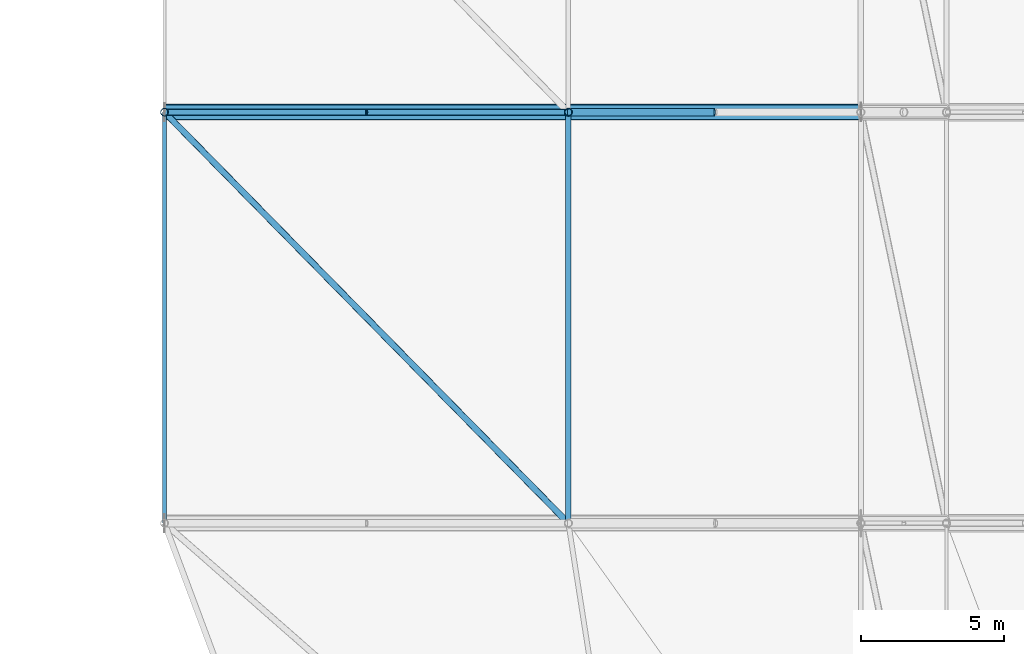
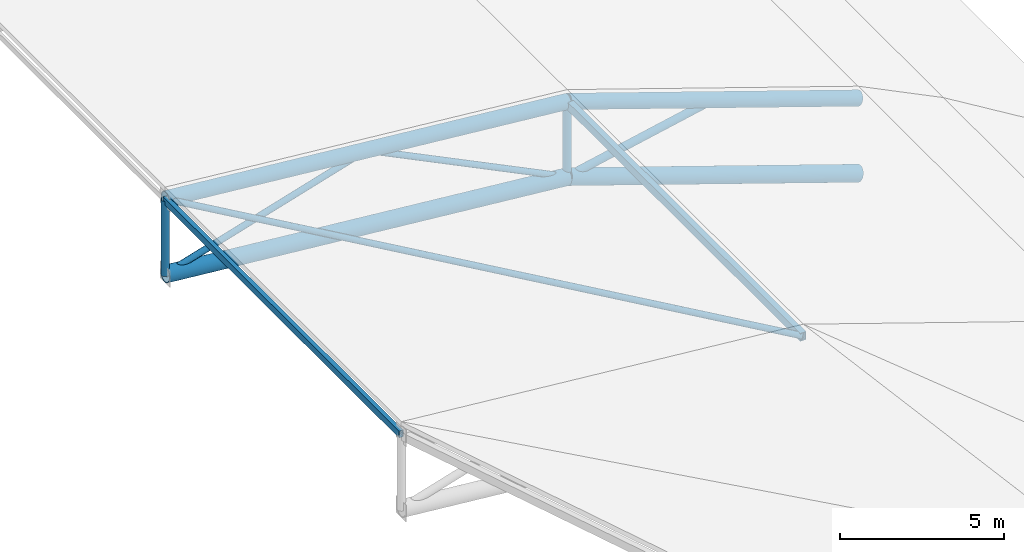
# One storey, part 17 of 36: 12 members.
"""IFC4 building model written with IfcOpenShell, lengths in metres."""

import ifcopenshell
import ifcopenshell.guid

model = None  # the IFC model being written
_history = None  # IfcOwnerHistory: only IFC2X3 demands one
_inside = {}  # id of a spatial element -> (the spatial element, [elements in it])
_under = {}  # id of a project, library or spatial element -> (it, [spatial elements below it])
_declared = {}  # id of a project -> (the project, [libraries it declares])
_typed = {}  # id of a type object -> (the type object, [elements of that type])
_made_of = {}  # id of a material, layer set ... -> (it, [elements and type objects made of it])


def new_model(schema):
    """Start an empty IFC model of exactly this schema.

    Asked for "IFC4X3", IfcOpenShell would pick the latest addendum, in which some entities
    have other attributes; the version numbers below select the first issue.
    IFC2X3 requires an IfcOwnerHistory on every rooted entity: one is made here for all.
    """
    global model, _history
    if schema == "IFC4X3":
        model = ifcopenshell.file(schema_version=(4, 3, 0, 0))
    else:
        model = ifcopenshell.file(schema=schema)
    _inside.clear()
    _under.clear()
    _declared.clear()
    _typed.clear()
    _made_of.clear()
    _history = None
    if model.schema == "IFC2X3":
        org = make("IfcOrganization", Name="unknown")
        user = make(
            "IfcPersonAndOrganization",
            ThePerson=make("IfcPerson", FamilyName="unknown"),
            TheOrganization=org,
        )
        app = make(
            "IfcApplication",
            ApplicationDeveloper=org,
            Version="unknown",
            ApplicationFullName="unknown",
            ApplicationIdentifier="unknown",
        )
        _history = make(
            "IfcOwnerHistory",
            OwningUser=user,
            OwningApplication=app,
            ChangeAction="ADDED",
            CreationDate=0,
        )
    return model


def make(cls, **values):
    """One entity of the class cls with the attributes given. An attribute that is None is left unset."""
    return model.create_entity(
        cls, **{name: value for name, value in values.items() if value is not None}
    )


def rooted(cls, **values):
    """An entity with a GlobalId (a new one), such as an element, a storey or a relation."""
    return make(cls, GlobalId=ifcopenshell.guid.new(), OwnerHistory=_history, **values)


def si_unit(unit_type, name, prefix=None):
    """IfcSIUnit, for example si_unit("LENGTHUNIT", "METRE", prefix="MILLI")."""
    return make("IfcSIUnit", UnitType=unit_type, Prefix=prefix, Name=name)


def assignment(units):
    """IfcUnitAssignment: the units of a project."""
    return None if units is None else make("IfcUnitAssignment", Units=units)


def point(xyz):
    """IfcCartesianPoint."""
    return None if xyz is None else make("IfcCartesianPoint", Coordinates=xyz)


def direction(xyz):
    """IfcDirection."""
    return None if xyz is None else make("IfcDirection", DirectionRatios=xyz)


def frame(location, z_axis=None, x_axis=None):
    """IfcAxis2Placement3D, a coordinate frame: its origin and axes. An axis left out is left unset."""
    return make(
        "IfcAxis2Placement3D",
        Location=point(location),
        Axis=direction(z_axis),
        RefDirection=direction(x_axis),
    )


def frame_2d(location, x_axis=None):
    """IfcAxis2Placement2D, a coordinate frame in the plane: its origin and x axis."""
    return make(
        "IfcAxis2Placement2D", Location=point(location), RefDirection=direction(x_axis)
    )


def origin():
    """The frame at (0, 0, 0) with its axes left unset."""
    return frame((0.0, 0.0, 0.0))


def origin_2d():
    """The frame at (0, 0) in the plane with its x axis left unset."""
    return frame_2d((0.0, 0.0))


def place(relative_to, where):
    """IfcLocalPlacement: puts the frame where relative to a parent placement (None: the world)."""
    return make(
        "IfcLocalPlacement", PlacementRelTo=relative_to, RelativePlacement=where
    )


def context(
    kind, dimensions, precision=None, world=None, true_north=None, identifier=None
):
    """IfcGeometricRepresentationContext, for example the 3D "Model" context."""
    return make(
        "IfcGeometricRepresentationContext",
        ContextIdentifier=identifier,
        ContextType=kind,
        CoordinateSpaceDimension=dimensions,
        Precision=precision,
        WorldCoordinateSystem=world,
        TrueNorth=true_north,
    )


def subcontext(parent, identifier, kind, view, scale=None):
    """IfcGeometricRepresentationSubContext, for example "Body" below "Model"."""
    return make(
        "IfcGeometricRepresentationSubContext",
        ContextIdentifier=identifier,
        ContextType=kind,
        ParentContext=parent,
        TargetScale=scale,
        TargetView=view,
    )


def project(units=None, contexts=None):
    """IfcProject with its units and contexts."""
    return rooted(
        "IfcProject",
        Name="project",
        RepresentationContexts=contexts,
        UnitsInContext=assignment(units),
    )


def spatial(cls, under=None, at=None, **own):
    """A site, building, storey or space (cls), placed at a placement, below another one or the project."""
    s = rooted(cls, ObjectPlacement=at, **own)
    if under is not None:
        _under.setdefault(under.id(), (under, []))[1].append(s)
    return s


def profile(cls, at=None, kind="AREA", **sizes):
    """A parametric profile (cls). Its sizes go by their IFC names, for example OverallWidth=200.0."""
    return make(cls, ProfileType=kind, Position=at, **sizes)


def hollow_rectangle(**sizes):
    """IfcRectangleHollowProfileDef."""
    return profile("IfcRectangleHollowProfileDef", **sizes)


def hollow_circle(**sizes):
    """IfcCircleHollowProfileDef."""
    return profile("IfcCircleHollowProfileDef", **sizes)


def extrude(swept, where, along, depth):
    """IfcExtrudedAreaSolid: the profile swept, set in the frame where, extruded along a direction by depth."""
    return make(
        "IfcExtrudedAreaSolid",
        SweptArea=swept,
        Position=where,
        ExtrudedDirection=direction(along),
        Depth=depth,
    )


def shape(context_of_items, identifier, shape_type, items):
    """IfcShapeRepresentation: the items that make up one representation, for example the "Body"."""
    return make(
        "IfcShapeRepresentation",
        ContextOfItems=context_of_items,
        RepresentationIdentifier=identifier,
        RepresentationType=shape_type,
        Items=items,
    )


def material(Name=None, Category=None):
    """IfcMaterial."""
    return make("IfcMaterial", Name=Name, Category=Category)


def material_profile(
    of_material, cross_section, Name=None, Category=None, Priority=None
):
    """IfcMaterialProfile: a cross section and its material."""
    return make(
        "IfcMaterialProfile",
        Name=Name,
        Material=of_material,
        Profile=cross_section,
        Priority=Priority,
        Category=Category,
    )


def profile_set(profiles, Name=None, composite=None):
    """IfcMaterialProfileSet."""
    return make(
        "IfcMaterialProfileSet",
        Name=Name,
        MaterialProfiles=profiles,
        CompositeProfile=composite,
    )


def made_of(thing, what):
    """Note that an element or type object is made of a material, layer set ...; save() writes the relation."""
    if what is not None:
        _made_of.setdefault(what.id(), (what, []))[1].append(thing)
    return thing


def type_object(cls, material=None, **own):
    """A type object (cls), such as IfcWallType, which elements share."""
    return made_of(rooted(cls, **own), material)


def element(
    cls,
    number,
    at=None,
    inside=None,
    cuts=None,
    type_object=None,
    material=None,
    context=None,
    identifier="Body",
    shape_type=None,
    held_by="IfcProductDefinitionShape",
    body=None,
    shapes=None,
    **own,
):
    """One element of the class cls, such as IfcWall. Its Tag is "e" and its number.

    at: its placement. inside: the storey or other place that contains it. cuts: it is an
    opening in that element (IfcRelVoidsElement). A single representation is given by context,
    identifier, shape_type and body (its items); several are given by shapes. held_by: the class
    of the entity that holds the representations. save() writes the other relations.
    """
    e = rooted(cls, Tag="e%d" % number, ObjectPlacement=at, **own)
    if body is not None:
        shapes = [shape(context, identifier, shape_type, body)]
    if shapes is not None:
        e.Representation = make(held_by, Representations=shapes)
    if inside is not None:
        _inside.setdefault(inside.id(), (inside, []))[1].append(e)
    if cuts is not None:
        rooted(
            "IfcRelVoidsElement", RelatingBuildingElement=cuts, RelatedOpeningElement=e
        )
    if type_object is not None:
        _typed.setdefault(type_object.id(), (type_object, []))[1].append(e)
    return made_of(e, material)


def aggregate(whole, parts):
    """IfcRelAggregates: a whole, such as a stair, and the parts it consists of."""
    return rooted("IfcRelAggregates", RelatingObject=whole, RelatedObjects=parts)


def save(model, path):
    """Write the relations noted so far, then the file.

    IfcRelAggregates (storeys below a building ...), IfcRelContainedInSpatialStructure (elements
    in a storey), IfcRelDefinesByType, IfcRelAssociatesMaterial and IfcRelDeclares: one each for
    every whole, place, type object, material and project.
    """
    for whole, parts in _under.values():
        aggregate(whole, parts)
    for where, things in _inside.values():
        rooted(
            "IfcRelContainedInSpatialStructure",
            RelatedElements=things,
            RelatingStructure=where,
        )
    for kind, things in _typed.values():
        rooted("IfcRelDefinesByType", RelatedObjects=things, RelatingType=kind)
    for what, things in _made_of.values():
        rooted("IfcRelAssociatesMaterial", RelatedObjects=things, RelatingMaterial=what)
    for by, libraries in _declared.values():
        rooted("IfcRelDeclares", RelatingContext=by, RelatedDefinitions=libraries)
    model.write(path)


model = new_model("IFC4")

# Units and contexts
model_context = context("Model", 3, precision=1e-05, world=origin(), true_north=direction((0.0, 1.0)))
body_context = subcontext(model_context, "Body", "Model", "MODEL_VIEW")
ifc_project = project(units=[si_unit("LENGTHUNIT", "METRE"), si_unit("AREAUNIT", "SQUARE_METRE"), si_unit("VOLUMEUNIT", "CUBIC_METRE"), si_unit("PLANEANGLEUNIT", "RADIAN"), si_unit("MASSUNIT", "GRAM", prefix="KILO")], contexts=[model_context])

# Site, building, storey
site_placement = place(None, origin())
site = spatial("IfcSite", under=ifc_project, at=site_placement, CompositionType="ELEMENT")
building_placement = place(site_placement, origin())
building = spatial("IfcBuilding", under=site, at=building_placement, Name="Koshinbarg Plaza Stadium", CompositionType="ELEMENT")
storey_placement = place(building_placement, frame((0.0, 0.0, 34.199951171875)))
storey = spatial("IfcBuildingStorey", under=building, at=storey_placement, Name="RF", CompositionType="ELEMENT", Elevation=34.199951171875)

# Members
ifc_material = material(Name="Steel S355", Category="steel")
ifc_material_profile_1 = material_profile(ifc_material, hollow_circle(Radius=0.279541015625, WallThickness=0.022216796875, at=origin_2d()), Name="CHS 559x22.2")
ifc_profile_set_1 = profile_set([ifc_material_profile_1], Name="Steel S355")
member_type_1 = type_object("IfcMemberType", Name="MB-ARCH-BOT", PredefinedType="CHORD", material=ifc_profile_set_1)
member_1_placement = place(storey_placement, frame((189.39990234375, 68.699951171875, -0.0400390625), z_axis=(-0.947427718422, 0.0, 0.319969871027), x_axis=(0.0, -1.0, 0.0)))
element("IfcMember", 1, at=member_1_placement, inside=storey, type_object=member_type_1, Name="Quarter-barrel roof truss bottom chord ERB-04-3", PredefinedType="CHORD", context=body_context, shape_type="SweptSolid", body=[
    extrude(hollow_circle(Radius=0.279541015625, WallThickness=0.022216796875, at=origin_2d()), origin(), (0.0, 0.0, 1.0), 10.81640625),
])
member_2_placement = place(storey_placement, frame((179.152099609375, 68.699951171875, 3.4208984375), z_axis=(-0.995642851387, 0.0, 0.093248659413), x_axis=(0.0, -1.0, 0.0)))
element("IfcMember", 2, at=member_2_placement, inside=storey, type_object=member_type_1, Name="Quarter-barrel roof truss bottom chord ERB-04-4", PredefinedType="CHORD", context=body_context, shape_type="SweptSolid", body=[
    extrude(hollow_circle(Radius=0.279541015625, WallThickness=0.022216796875, at=origin_2d()), origin(), (0.0, 0.0, 1.0), 14.214111328125),
])
ifc_material_profile_2 = material_profile(ifc_material, hollow_circle(Radius=0.25390625, WallThickness=0.02001953125, at=origin_2d()), Name="CHS 508x20")
ifc_profile_set_2 = profile_set([ifc_material_profile_2], Name="Steel S355")
member_type_2 = type_object("IfcMemberType", Name="MB-ARCH-TOP", PredefinedType="CHORD", material=ifc_profile_set_2)
member_3_placement = place(storey_placement, frame((189.39990234375, 68.699951171875, 2.760009765625), z_axis=(-0.947427718422, 0.0, 0.319969871027), x_axis=(0.0, -1.0, 0.0)))
element("IfcMember", 3, at=member_3_placement, inside=storey, type_object=member_type_2, Name="Quarter-barrel roof truss top chord ERB-04-3", PredefinedType="CHORD", context=body_context, shape_type="SweptSolid", body=[
    extrude(hollow_circle(Radius=0.25390625, WallThickness=0.02001953125, at=origin_2d()), origin(), (0.0, 0.0, 1.0), 10.81640625),
])
member_4_placement = place(storey_placement, frame((179.152099609375, 68.699951171875, 6.220947265625), z_axis=(-0.995642851387, 0.0, 0.093248659413), x_axis=(0.0, -1.0, 0.0)))
element("IfcMember", 4, at=member_4_placement, inside=storey, type_object=member_type_2, Name="Quarter-barrel roof truss top chord ERB-04-4", PredefinedType="CHORD", context=body_context, shape_type="SweptSolid", body=[
    extrude(hollow_circle(Radius=0.25390625, WallThickness=0.02001953125, at=origin_2d()), origin(), (0.0, 0.0, 1.0), 14.214111328125),
])
ifc_material_profile_3 = material_profile(ifc_material, hollow_circle(Radius=0.136474609375, WallThickness=0.012451171875, at=origin_2d()), Name="CHS 273x12.5")
ifc_profile_set_3 = profile_set([ifc_material_profile_3], Name="Steel S355")
member_type_3 = type_object("IfcMemberType", Name="MB-BRACE-02", PredefinedType="BRACE", material=ifc_profile_set_3)
member_5_placement = place(storey_placement, frame((184.27587890625, 68.699951171875, 4.490478515625), z_axis=(-0.978899240734, 0.0, -0.20434352569), x_axis=(0.0, -1.0, 0.0)))
element("IfcMember", 5, at=member_5_placement, inside=storey, type_object=member_type_3, Name="Quarter-barrel roof truss web diagonal ERB-04-3B", PredefinedType="BRACE", context=body_context, shape_type="SweptSolid", body=[
    extrude(hollow_circle(Radius=0.136474609375, WallThickness=0.012451171875, at=origin_2d()), origin(), (0.0, 0.0, 1.0), 5.234130859375),
])
for number, where, z_axis, x_axis, name in (
    (6, (179.152099609375, 68.699951171875, 3.4208984375), (0.0, 0.0, 1.0), (1.0, 0.0, 0.0), "Quarter-barrel roof truss post ERB-04-4"),
    (7, (165.0, 68.699951171875, 4.746337890625), (0.0, 0.0, 1.0), (1.0, 0.0, 0.0), "Quarter-barrel roof truss post ERB-04-5"),
):
    element("IfcMember", number, at=place(storey_placement, frame(where, z_axis=z_axis, x_axis=x_axis)), inside=storey, type_object=member_type_3, Name=name, PredefinedType="BRACE", context=body_context, shape_type="SweptSolid", body=[
        extrude(hollow_circle(Radius=0.136474609375, WallThickness=0.012451171875, at=origin_2d()), origin(), (0.0, 0.0, 1.0), 2.800048828125),
    ])
ifc_material_profile_4 = material_profile(ifc_material, hollow_circle(Radius=0.109619140625, WallThickness=0.010009765625, at=origin_2d()), Name="CHS 219.1x10")
ifc_profile_set_4 = profile_set([ifc_material_profile_4], Name="Steel S355")
member_type_4 = type_object("IfcMemberType", Name="MB-BRACE-03", PredefinedType="BRACE", material=ifc_profile_set_4)
member_6_placement = place(storey_placement, frame((179.152099609375, 68.699951171875, 3.4208984375), z_axis=(-0.898224792069, 0.0, 0.439536372685), x_axis=(0.0, -1.0, 0.0)))
element("IfcMember", 8, at=member_6_placement, inside=storey, type_object=member_type_4, Name="Quarter-barrel roof truss web diagonal ERB-04-4A", PredefinedType="BRACE", context=body_context, shape_type="SweptSolid", body=[
    extrude(hollow_circle(Radius=0.109619140625, WallThickness=0.010009765625, at=origin_2d()), origin(), (0.0, 0.0, 1.0), 7.8779296875),
])
member_7_placement = place(storey_placement, frame((172.075927734375, 68.699951171875, 6.883544921875), z_axis=(-0.957287355099, 0.0, -0.289138236433), x_axis=(0.0, -1.0, 0.0)))
element("IfcMember", 9, at=member_7_placement, inside=storey, type_object=member_type_4, Name="Quarter-barrel roof truss web diagonal ERB-04-4B", PredefinedType="BRACE", context=body_context, shape_type="SweptSolid", body=[
    extrude(hollow_circle(Radius=0.109619140625, WallThickness=0.010009765625, at=origin_2d()), origin(), (0.0, 0.0, 1.0), 7.3916015625),
])
member_8_placement = place(storey_placement, frame((179.152099609375, 54.300048828125, 6.220947265625), z_axis=(-0.699437852357, 0.711684982968, 0.065507066097), x_axis=(-0.713216897677, -0.700943404897, 0.0)))
element("IfcMember", 10, at=member_8_placement, inside=storey, type_object=member_type_4, Name="Roof plan wind brace east bay 3.4", PredefinedType="BRACE", context=body_context, shape_type="SweptSolid", body=[
    extrude(hollow_circle(Radius=0.109619140625, WallThickness=0.010009765625, at=origin_2d()), origin(), (0.0, 0.0, 1.0), 20.233642578125),
])
ifc_material_profile_5 = material_profile(ifc_material, hollow_rectangle(XDim=0.199951171875, YDim=0.300048828125, WallThickness=0.012451171875, at=origin_2d()), Name="RHS 300x200x12.5")
ifc_profile_set_5 = profile_set([ifc_material_profile_5], Name="Steel S355")
member_type_5 = type_object("IfcMemberType", Name="MB-PURL-01", PredefinedType="PURLIN", material=ifc_profile_set_5)
member_9_placement = place(storey_placement, frame((179.152099609375, 54.300048828125, 6.200927734375), z_axis=(0.0, 1.0, 0.0), x_axis=(-1.0, 0.0, 0.0)))
element("IfcMember", 11, at=member_9_placement, inside=storey, type_object=member_type_5, Name="Roof longitudinal purlin east bay 3.4", PredefinedType="PURLIN", context=body_context, shape_type="SweptSolid", body=[
    extrude(hollow_rectangle(XDim=0.199951171875, YDim=0.300048828125, WallThickness=0.012451171875, at=origin_2d()), origin(), (0.0, 0.0, 1.0), 14.39990234375),
])
ifc_material_profile_6 = material_profile(ifc_material, hollow_rectangle(XDim=0.14990234375, YDim=0.25, WallThickness=0.010009765625, at=origin_2d()), Name="RHS 250x150x10")
ifc_profile_set_6 = profile_set([ifc_material_profile_6], Name="Steel S355")
member_type_6 = type_object("IfcMemberType", Name="MB-PURL-02", PredefinedType="PURLIN", material=ifc_profile_set_6)
member_10_placement = place(storey_placement, frame((165.0, 54.300048828125, 7.5263671875), z_axis=(0.0, 1.0, 0.0), x_axis=(-1.0, 0.0, 0.0)))
element("IfcMember", 12, at=member_10_placement, inside=storey, type_object=member_type_6, Name="Roof longitudinal purlin east bay 3.5", PredefinedType="PURLIN", context=body_context, shape_type="SweptSolid", body=[
    extrude(hollow_rectangle(XDim=0.14990234375, YDim=0.25, WallThickness=0.010009765625, at=origin_2d()), origin(), (0.0, 0.0, 1.0), 14.39990234375),
])

save(model, "model.ifc")
